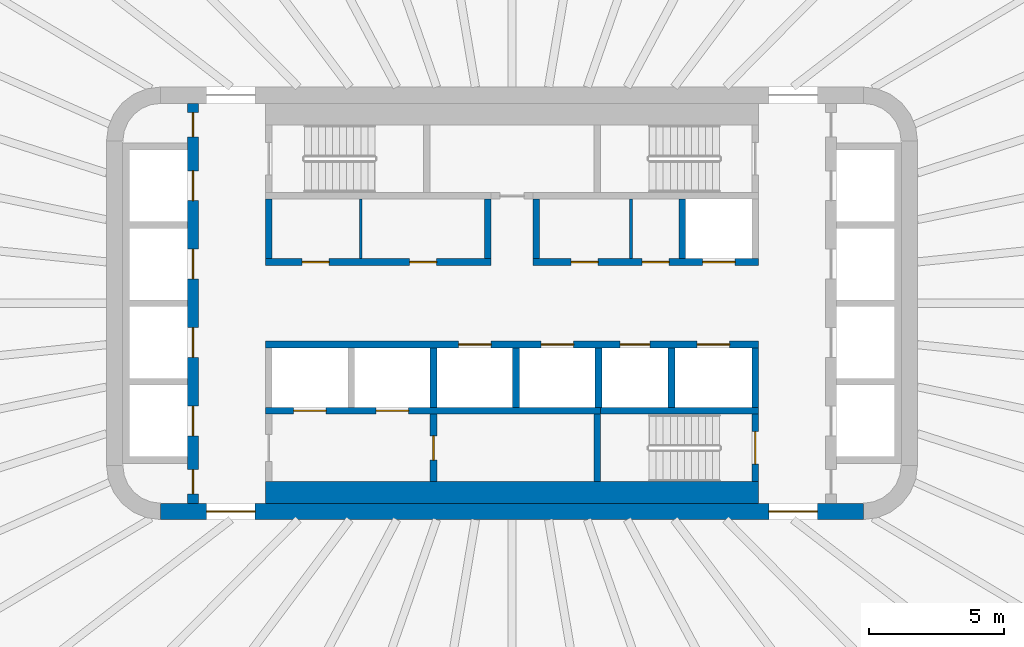
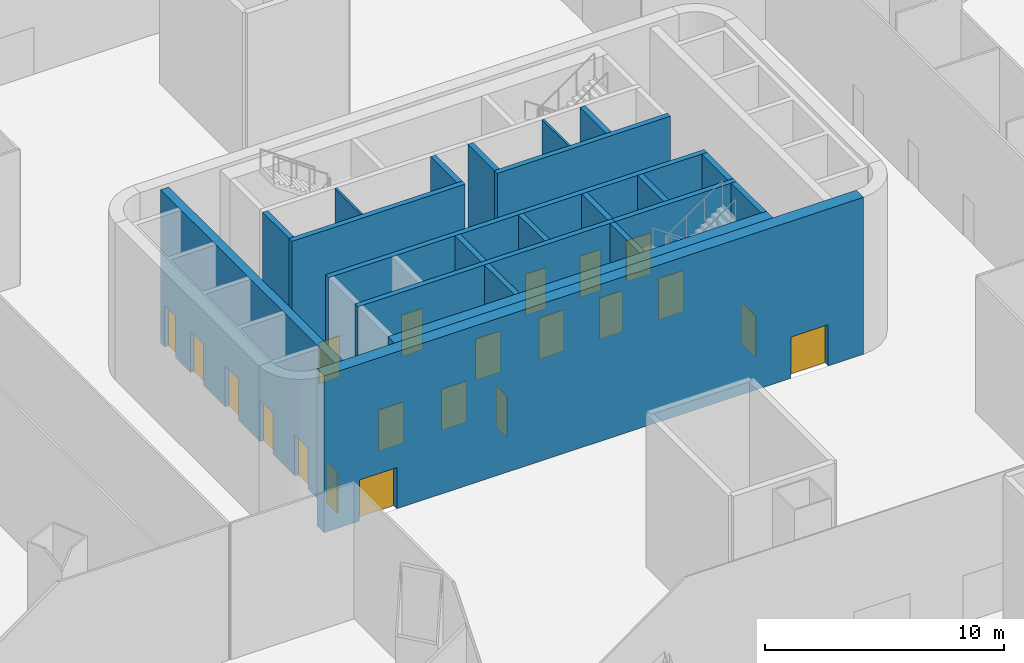
# One storey, part 17 of 36: 22 walls, 21 doors, 21 openings.
"""IFC4 building model written with IfcOpenShell, lengths in metres."""

from ifc_helpers import new_model, si_unit, direction, frame, frame_2d, origin, place, context, subcontext, project, spatial, rectangle, extrude, material, layer, layer_set, type_object, element, fill, save


model = new_model("IFC4")

# Units and contexts
model_context = context("Model", 3, precision=1e-05, world=origin(), true_north=direction((0.0, 1.0)))
body_context = subcontext(model_context, "Body", "Model", "MODEL_VIEW")
ifc_project = project(units=[si_unit("LENGTHUNIT", "METRE"), si_unit("AREAUNIT", "SQUARE_METRE"), si_unit("VOLUMEUNIT", "CUBIC_METRE"), si_unit("PLANEANGLEUNIT", "RADIAN"), si_unit("MASSUNIT", "GRAM", prefix="KILO")], contexts=[model_context])

# Site, building, storey
site_placement = place(None, origin())
site = spatial("IfcSite", under=ifc_project, at=site_placement, CompositionType="ELEMENT")
building_placement = place(site_placement, origin())
building = spatial("IfcBuilding", under=site, at=building_placement, Name="Sahrelin Media Tower", CompositionType="ELEMENT")
storey_placement = place(building_placement, origin())
storey = spatial("IfcBuildingStorey", under=building, at=storey_placement, Name="L00", CompositionType="ELEMENT", Elevation=0.0)

# Wall, openings, doors
ifc_material_1 = material(Name="Concrete C60/75", Category="concrete")
ifc_layer_1 = layer(ifc_material_1, 0.60009765625)
ifc_layer_set_1 = layer_set([ifc_layer_1], Name="Core wall 600")
wall_type_1 = type_object("IfcWallType", Name="Core wall 600", PredefinedType="SHEAR", material=ifc_layer_set_1)
wall_1_placement = place(storey_placement, frame((-13.0, -7.699951171875, 0.0), z_axis=(0.0, 0.0, 1.0), x_axis=(1.0, 0.0, 0.0)))
wall_1 = element("IfcWall", 1, at=wall_1_placement, inside=storey, type_object=wall_type_1, Name="Core wall S L00", PredefinedType="SHEAR", context=body_context, shape_type="SweptSolid", body=[
    extrude(rectangle(XDim=26.0, YDim=0.60009765625, at=frame_2d((13.0, 0.0))), origin(), (0.0, 0.0, 1.0), 8.0),
])
opening_1_placement = place(wall_1_placement, frame((1.699951171875, 0.0, 0.0)))
opening_1 = element("IfcOpeningElement", 2, at=opening_1_placement, cuts=wall_1, Name="Opening L00-D17", PredefinedType="OPENING", context=body_context, shape_type="SweptSolid", body=[
    extrude(rectangle(XDim=1.800048828125, YDim=2.10009765625, at=frame_2d((0.89990234375, 1.050048828125))), frame((0.0, 0.300048828125, 0.0), z_axis=(0.0, -1.0, 0.0), x_axis=(1.0, 0.0, 0.0)), (0.0, 0.0, 1.0), 0.60009765625),
])
opening_2_placement = place(wall_1_placement, frame((22.5, 0.0, 0.0)))
opening_2 = element("IfcOpeningElement", 3, at=opening_2_placement, cuts=wall_1, Name="Opening L00-D18", PredefinedType="OPENING", context=body_context, shape_type="SweptSolid", body=[
    extrude(rectangle(XDim=1.800048828125, YDim=2.10009765625, at=frame_2d((0.89990234375, 1.050048828125))), frame((0.0, 0.300048828125, 0.0), z_axis=(0.0, -1.0, 0.0), x_axis=(1.0, 0.0, 0.0)), (0.0, 0.0, 1.0), 0.60009765625),
])
ifc_material_2 = material(Name="Steel fire door leaf", Category="steel")
door_type_1 = type_object("IfcDoorType", Name="Lobby double door 1800 x 2100 EI 60", OperationType="DOUBLE_DOOR_SINGLE_SWING", PredefinedType="DOOR", material=ifc_material_2)
door_1_placement = place(opening_1_placement, origin())
door_1 = element("IfcDoor", 4, at=door_1_placement, inside=storey, type_object=door_type_1, Name="Lobby door", OperationType="DOUBLE_DOOR_SINGLE_SWING", OverallHeight=2.10009765625, OverallWidth=1.800048828125, PredefinedType="DOOR", context=body_context, shape_type="SweptSolid", body=[
    extrude(rectangle(XDim=1.800048828125, YDim=2.10009765625, at=frame_2d((0.89990234375, 1.050048828125))), frame((0.0, 0.02490234375, 0.0), z_axis=(0.0, -1.0, 0.0), x_axis=(1.0, 0.0, 0.0)), (0.0, 0.0, 1.0), 0.050048828125),
])
fill(opening_1, door_1)
door_2_placement = place(opening_2_placement, origin())
door_2 = element("IfcDoor", 5, at=door_2_placement, inside=storey, type_object=door_type_1, Name="Lobby door", OperationType="DOUBLE_DOOR_SINGLE_SWING", OverallHeight=2.10009765625, OverallWidth=1.800048828125, PredefinedType="DOOR", context=body_context, shape_type="SweptSolid", body=[
    extrude(rectangle(XDim=1.800048828125, YDim=2.10009765625, at=frame_2d((0.89990234375, 1.050048828125))), frame((0.0, 0.02490234375, 0.0), z_axis=(0.0, -1.0, 0.0), x_axis=(1.0, 0.0, 0.0)), (0.0, 0.0, 1.0), 0.050048828125),
])
fill(opening_2, door_2)

ifc_material_3 = material(Name="Fire-rated gypsum board partition")
ifc_layer_2 = layer(ifc_material_3, 0.25)
ifc_layer_set_2 = layer_set([ifc_layer_2], Name="Fire-rated lobby wall 250")
wall_type_2 = type_object("IfcWallType", Name="Fire-rated lobby wall 250", PredefinedType="PARTITIONING", material=ifc_layer_set_2)
wall_2_placement = place(storey_placement, frame((-9.125, 1.52490234375, 0.0), z_axis=(0.0, 0.0, 1.0), x_axis=(1.0, 0.0, 0.0)))
wall_2 = element("IfcWall", 6, at=wall_2_placement, inside=storey, type_object=wall_type_2, Name="Core lobby wall", PredefinedType="PARTITIONING", context=body_context, shape_type="SweptSolid", body=[
    extrude(rectangle(XDim=8.35009765625, YDim=0.25, at=frame_2d((4.175048828125, 0.0))), origin(), (0.0, 0.0, 1.0), 7.800048828125),
])
opening_3_placement = place(wall_2_placement, frame((1.362548828125, 0.0, 0.0)))
opening_3 = element("IfcOpeningElement", 7, at=opening_3_placement, cuts=wall_2, Name="Opening L00-D07", PredefinedType="OPENING", context=body_context, shape_type="SweptSolid", body=[
    extrude(rectangle(XDim=1.0, YDim=2.10009765625, at=frame_2d((0.5, 1.050048828125))), frame((0.0, 0.125, 0.0), z_axis=(0.0, -1.0, 0.0), x_axis=(1.0, 0.0, 0.0)), (0.0, 0.0, 1.0), 0.25),
])
opening_4_placement = place(wall_2_placement, frame((5.33740234375, 0.0, 0.0)))
opening_4 = element("IfcOpeningElement", 8, at=opening_4_placement, cuts=wall_2, Name="Opening L00-D08", PredefinedType="OPENING", context=body_context, shape_type="SweptSolid", body=[
    extrude(rectangle(XDim=1.0, YDim=2.10009765625, at=frame_2d((0.5, 1.050048828125))), frame((0.0, 0.125, 0.0), z_axis=(0.0, -1.0, 0.0), x_axis=(1.0, 0.0, 0.0)), (0.0, 0.0, 1.0), 0.25),
])
door_type_2 = type_object("IfcDoorType", Name="Fire door 1000 x 2100 EI 60", OperationType="NOTDEFINED", PredefinedType="DOOR", material=ifc_material_2)
door_3_placement = place(opening_3_placement, origin())
door_3 = element("IfcDoor", 9, at=door_3_placement, inside=storey, type_object=door_type_2, Name="Core room door", OperationType="SINGLE_SWING_LEFT", OverallHeight=2.10009765625, OverallWidth=1.0, PredefinedType="DOOR", context=body_context, shape_type="SweptSolid", body=[
    extrude(rectangle(XDim=1.0, YDim=2.10009765625, at=frame_2d((0.5, 1.050048828125))), frame((0.0, 0.02490234375, 0.0), z_axis=(0.0, -1.0, 0.0), x_axis=(1.0, 0.0, 0.0)), (0.0, 0.0, 1.0), 0.050048828125),
])
fill(opening_3, door_3)
door_4_placement = place(opening_4_placement, origin())
door_4 = element("IfcDoor", 10, at=door_4_placement, inside=storey, type_object=door_type_2, Name="Core room door", OperationType="SINGLE_SWING_LEFT", OverallHeight=2.10009765625, OverallWidth=1.0, PredefinedType="DOOR", context=body_context, shape_type="SweptSolid", body=[
    extrude(rectangle(XDim=1.0, YDim=2.10009765625, at=frame_2d((0.5, 1.050048828125))), frame((0.0, 0.02490234375, 0.0), z_axis=(0.0, -1.0, 0.0), x_axis=(1.0, 0.0, 0.0)), (0.0, 0.0, 1.0), 0.050048828125),
])
fill(opening_4, door_4)

# Walls
for number, where, z_axis, x_axis, name in (
    (11, (-9.0, 1.64990234375, 0.0), (0.0, 0.0, 1.0), (0.0, 1.0, 0.0), "Core lobby wall"),
    (12, (-0.89990234375, 1.64990234375, 0.0), (0.0, 0.0, 1.0), (0.0, 1.0, 0.0), "Core lobby wall"),
    (13, (0.89990234375, 1.64990234375, 0.0), (0.0, 0.0, 1.0), (0.0, 1.0, 0.0), "Core lobby wall"),
):
    element("IfcWall", number, at=place(storey_placement, frame(where, z_axis=z_axis, x_axis=x_axis)), inside=storey, type_object=wall_type_2, Name=name, PredefinedType="PARTITIONING", context=body_context, shape_type="SweptSolid", body=[
        extrude(rectangle(XDim=2.2001953125, YDim=0.25, at=frame_2d((1.10009765625, 0.0))), origin(), (0.0, 0.0, 1.0), 7.800048828125),
    ])
ifc_layer_3 = layer(ifc_material_3, 0.10009765625)
ifc_layer_set_3 = layer_set([ifc_layer_3], Name="Fire-rated partition 100")
wall_type_3 = type_object("IfcWallType", Name="Fire-rated partition 100", PredefinedType="PARTITIONING", material=ifc_layer_set_3)
for number, where, z_axis, x_axis, name in (
    (14, (-5.60009765625, 1.64990234375, 0.0), (0.0, 0.0, 1.0), (0.0, 1.0, 0.0), "Core room partition"),
    (15, (4.39990234375, 1.64990234375, 0.0), (0.0, 0.0, 1.0), (0.0, 1.0, 0.0), "Core room partition"),
):
    element("IfcWall", number, at=place(storey_placement, frame(where, z_axis=z_axis, x_axis=x_axis)), inside=storey, type_object=wall_type_3, Name=name, PredefinedType="PARTITIONING", context=body_context, shape_type="SweptSolid", body=[
        extrude(rectangle(XDim=2.2001953125, YDim=0.10009765625, at=frame_2d((1.10009765625, 0.0))), origin(), (0.0, 0.0, 1.0), 7.800048828125),
    ])

# Wall, opening, door
ifc_layer_4 = layer(ifc_material_3, 0.25)
ifc_layer_set_4 = layer_set([ifc_layer_4], Name="Firefighting lobby wall 250")
wall_type_4 = type_object("IfcWallType", Name="Firefighting lobby wall 250", PredefinedType="PARTITIONING", material=ifc_layer_set_4)
wall_3_placement = place(storey_placement, frame((-2.89990234375, -6.60009765625, 0.0), z_axis=(0.0, 0.0, 1.0), x_axis=(0.0, 1.0, 0.0)))
wall_3 = element("IfcWall", 16, at=wall_3_placement, inside=storey, type_object=wall_type_4, Name="Core wall", PredefinedType="PARTITIONING", context=body_context, shape_type="SweptSolid", body=[
    extrude(rectangle(XDim=2.5, YDim=0.25, at=frame_2d((1.25, 0.0))), origin(), (0.0, 0.0, 1.0), 7.800048828125),
])
opening_5_placement = place(wall_3_placement, frame((0.800048828125, 0.0, 0.0)))
opening_5 = element("IfcOpeningElement", 17, at=opening_5_placement, cuts=wall_3, Name="Opening L00-D05", PredefinedType="OPENING", context=body_context, shape_type="SweptSolid", body=[
    extrude(rectangle(XDim=0.89990234375, YDim=2.10009765625, at=frame_2d((0.449951171875, 1.050048828125))), frame((0.0, 0.125, 0.0), z_axis=(0.0, -1.0, 0.0), x_axis=(1.0, 0.0, 0.0)), (0.0, 0.0, 1.0), 0.25),
])
door_type_3 = type_object("IfcDoorType", Name="Firefighting lobby door 900 x 2100 EI 120", OperationType="NOTDEFINED", PredefinedType="DOOR", material=ifc_material_2)
door_5_placement = place(opening_5_placement, origin())
door_5 = element("IfcDoor", 18, at=door_5_placement, inside=storey, type_object=door_type_3, Name="Riser door", OperationType="SINGLE_SWING_RIGHT", OverallHeight=2.10009765625, OverallWidth=0.89990234375, PredefinedType="DOOR", context=body_context, shape_type="SweptSolid", body=[
    extrude(rectangle(XDim=0.89990234375, YDim=2.10009765625, at=frame_2d((0.449951171875, 1.050048828125))), frame((0.0, 0.02490234375, 0.0), z_axis=(0.0, -1.0, 0.0), x_axis=(1.0, 0.0, 0.0)), (0.0, 0.0, 1.0), 0.050048828125),
])
fill(opening_5, door_5)

# Wall, openings, doors
ifc_layer_5 = layer(ifc_material_1, 0.25)
ifc_layer_set_5 = layer_set([ifc_layer_5], Name="Lift shaft wall 250")
wall_type_5 = type_object("IfcWallType", Name="Lift shaft wall 250", PredefinedType="SOLIDWALL", material=ifc_layer_set_5)
wall_4_placement = place(storey_placement, frame((0.77490234375, 1.52490234375, 0.0), z_axis=(0.0, 0.0, 1.0), x_axis=(1.0, 0.0, 0.0)))
wall_4 = element("IfcWall", 19, at=wall_4_placement, inside=storey, type_object=wall_type_5, Name="Lift shaft wall", PredefinedType="SOLIDWALL", context=body_context, shape_type="SweptSolid", body=[
    extrude(rectangle(XDim=8.35009765625, YDim=0.25, at=frame_2d((4.175048828125, 0.0))), origin(), (0.0, 0.0, 1.0), 7.800048828125),
])
opening_6_placement = place(wall_4_placement, frame((6.27490234375, 0.0, 0.0)))
opening_6 = element("IfcOpeningElement", 20, at=opening_6_placement, cuts=wall_4, Name="Opening L00-LD-PR2", PredefinedType="OPENING", context=body_context, shape_type="SweptSolid", body=[
    extrude(rectangle(XDim=1.199951171875, YDim=2.10009765625, at=frame_2d((0.60009765625, 1.050048828125))), frame((0.0, 0.125, 0.0), z_axis=(0.0, -1.0, 0.0), x_axis=(1.0, 0.0, 0.0)), (0.0, 0.0, 1.0), 0.25),
])
opening_7_placement = place(wall_4_placement, frame((1.41259765625, 0.0, 0.0)))
opening_7 = element("IfcOpeningElement", 21, at=opening_7_placement, cuts=wall_4, Name="Opening L00-D09", PredefinedType="OPENING", context=body_context, shape_type="SweptSolid", body=[
    extrude(rectangle(XDim=1.0, YDim=2.10009765625, at=frame_2d((0.5, 1.050048828125))), frame((0.0, 0.125, 0.0), z_axis=(0.0, -1.0, 0.0), x_axis=(1.0, 0.0, 0.0)), (0.0, 0.0, 1.0), 0.25),
])
opening_8_placement = place(wall_4_placement, frame((4.03759765625, 0.0, 0.0)))
opening_8 = element("IfcOpeningElement", 22, at=opening_8_placement, cuts=wall_4, Name="Opening L00-D10", PredefinedType="OPENING", context=body_context, shape_type="SweptSolid", body=[
    extrude(rectangle(XDim=1.0, YDim=2.10009765625, at=frame_2d((0.5, 1.050048828125))), frame((0.0, 0.125, 0.0), z_axis=(0.0, -1.0, 0.0), x_axis=(1.0, 0.0, 0.0)), (0.0, 0.0, 1.0), 0.25),
])
door_6_placement = place(opening_7_placement, origin())
door_6 = element("IfcDoor", 23, at=door_6_placement, inside=storey, type_object=door_type_2, Name="Core room door", OperationType="SINGLE_SWING_LEFT", OverallHeight=2.10009765625, OverallWidth=1.0, PredefinedType="DOOR", context=body_context, shape_type="SweptSolid", body=[
    extrude(rectangle(XDim=1.0, YDim=2.10009765625, at=frame_2d((0.5, 1.050048828125))), frame((0.0, 0.02490234375, 0.0), z_axis=(0.0, -1.0, 0.0), x_axis=(1.0, 0.0, 0.0)), (0.0, 0.0, 1.0), 0.050048828125),
])
fill(opening_7, door_6)
door_7_placement = place(opening_8_placement, origin())
door_7 = element("IfcDoor", 24, at=door_7_placement, inside=storey, type_object=door_type_2, Name="Core room door", OperationType="SINGLE_SWING_LEFT", OverallHeight=2.10009765625, OverallWidth=1.0, PredefinedType="DOOR", context=body_context, shape_type="SweptSolid", body=[
    extrude(rectangle(XDim=1.0, YDim=2.10009765625, at=frame_2d((0.5, 1.050048828125))), frame((0.0, 0.02490234375, 0.0), z_axis=(0.0, -1.0, 0.0), x_axis=(1.0, 0.0, 0.0)), (0.0, 0.0, 1.0), 0.050048828125),
])
fill(opening_8, door_7)
ifc_material_4 = material(Name="Stainless steel", Category="steel")
door_type_4 = type_object("IfcDoorType", Name="Lift landing door 1200 x 2100 EI 120", OperationType="DOUBLE_DOOR_SLIDING", PredefinedType="DOOR", material=ifc_material_4)
door_8_placement = place(opening_6_placement, origin())
door_8 = element("IfcDoor", 25, at=door_8_placement, inside=storey, type_object=door_type_4, Name="Lift landing door PR2", OperationType="DOUBLE_DOOR_SLIDING", OverallHeight=2.10009765625, OverallWidth=1.199951171875, PredefinedType="DOOR", context=body_context, shape_type="SweptSolid", body=[
    extrude(rectangle(XDim=1.199951171875, YDim=2.10009765625, at=frame_2d((0.60009765625, 1.050048828125))), frame((0.0, 0.02490234375, 0.0), z_axis=(0.0, -1.0, 0.0), x_axis=(1.0, 0.0, 0.0)), (0.0, 0.0, 1.0), 0.050048828125),
])
fill(opening_6, door_8)

# Wall
wall_5_placement = place(storey_placement, frame((6.300048828125, 1.64990234375, 0.0), z_axis=(0.0, 0.0, 1.0), x_axis=(0.0, 1.0, 0.0)))
element("IfcWall", 26, at=wall_5_placement, inside=storey, type_object=wall_type_5, Name="Lift shaft wall", PredefinedType="SOLIDWALL", context=body_context, shape_type="SweptSolid", body=[
    extrude(rectangle(XDim=2.2001953125, YDim=0.25, at=frame_2d((1.10009765625, 0.0))), origin(), (0.0, 0.0, 1.0), 7.800048828125),
])

# Wall, openings, doors
wall_6_placement = place(storey_placement, frame((-9.125, -1.52490234375, 0.0), z_axis=(0.0, 0.0, 1.0), x_axis=(1.0, 0.0, 0.0)))
wall_6 = element("IfcWall", 27, at=wall_6_placement, inside=storey, type_object=wall_type_5, Name="Lift shaft wall", PredefinedType="SOLIDWALL", context=body_context, shape_type="SweptSolid", body=[
    extrude(rectangle(XDim=18.25, YDim=0.25, at=frame_2d((9.125, 0.0))), origin(), (0.0, 0.0, 1.0), 7.800048828125),
])
opening_9_placement = place(wall_6_placement, frame((7.14990234375, 0.0, 0.0)))
opening_9 = element("IfcOpeningElement", 28, at=opening_9_placement, cuts=wall_6, Name="Opening L00-LD-SV1", PredefinedType="OPENING", context=body_context, shape_type="SweptSolid", body=[
    extrude(rectangle(XDim=1.199951171875, YDim=2.10009765625, at=frame_2d((0.60009765625, 1.050048828125))), frame((0.0, 0.125, 0.0), z_axis=(0.0, -1.0, 0.0), x_axis=(1.0, 0.0, 0.0)), (0.0, 0.0, 1.0), 0.25),
])
opening_10_placement = place(wall_6_placement, frame((10.199951171875, 0.0, 0.0)))
opening_10 = element("IfcOpeningElement", 29, at=opening_10_placement, cuts=wall_6, Name="Opening L00-LD-SV2", PredefinedType="OPENING", context=body_context, shape_type="SweptSolid", body=[
    extrude(rectangle(XDim=1.199951171875, YDim=2.10009765625, at=frame_2d((0.60009765625, 1.050048828125))), frame((0.0, 0.125, 0.0), z_axis=(0.0, -1.0, 0.0), x_axis=(1.0, 0.0, 0.0)), (0.0, 0.0, 1.0), 0.25),
])
opening_11_placement = place(wall_6_placement, frame((13.125, 0.0, 0.0)))
opening_11 = element("IfcOpeningElement", 30, at=opening_11_placement, cuts=wall_6, Name="Opening L00-LD-OB1", PredefinedType="OPENING", context=body_context, shape_type="SweptSolid", body=[
    extrude(rectangle(XDim=1.10009765625, YDim=2.10009765625, at=frame_2d((0.550048828125, 1.050048828125))), frame((0.0, 0.125, 0.0), z_axis=(0.0, -1.0, 0.0), x_axis=(1.0, 0.0, 0.0)), (0.0, 0.0, 1.0), 0.25),
])
opening_12_placement = place(wall_6_placement, frame((15.97509765625, 0.0, 0.0)))
opening_12 = element("IfcOpeningElement", 31, at=opening_12_placement, cuts=wall_6, Name="Opening L00-LD-PR1", PredefinedType="OPENING", context=body_context, shape_type="SweptSolid", body=[
    extrude(rectangle(XDim=1.199951171875, YDim=2.10009765625, at=frame_2d((0.60009765625, 1.050048828125))), frame((0.0, 0.125, 0.0), z_axis=(0.0, -1.0, 0.0), x_axis=(1.0, 0.0, 0.0)), (0.0, 0.0, 1.0), 0.25),
])
door_type_5 = type_object("IfcDoorType", Name="Lift landing door 1100 x 2100 EI 120", OperationType="DOUBLE_DOOR_SLIDING", PredefinedType="DOOR", material=ifc_material_4)
door_9_placement = place(opening_11_placement, origin())
door_9 = element("IfcDoor", 32, at=door_9_placement, inside=storey, type_object=door_type_5, Name="Lift landing door OB1", OperationType="DOUBLE_DOOR_SLIDING", OverallHeight=2.10009765625, OverallWidth=1.10009765625, PredefinedType="DOOR", context=body_context, shape_type="SweptSolid", body=[
    extrude(rectangle(XDim=1.10009765625, YDim=2.10009765625, at=frame_2d((0.550048828125, 1.050048828125))), frame((0.0, 0.02490234375, 0.0), z_axis=(0.0, -1.0, 0.0), x_axis=(1.0, 0.0, 0.0)), (0.0, 0.0, 1.0), 0.050048828125),
])
fill(opening_11, door_9)
door_10_placement = place(opening_9_placement, origin())
door_10 = element("IfcDoor", 33, at=door_10_placement, inside=storey, type_object=door_type_4, Name="Lift landing door SV1", OperationType="DOUBLE_DOOR_SLIDING", OverallHeight=2.10009765625, OverallWidth=1.199951171875, PredefinedType="DOOR", context=body_context, shape_type="SweptSolid", body=[
    extrude(rectangle(XDim=1.199951171875, YDim=2.10009765625, at=frame_2d((0.60009765625, 1.050048828125))), frame((0.0, 0.02490234375, 0.0), z_axis=(0.0, -1.0, 0.0), x_axis=(1.0, 0.0, 0.0)), (0.0, 0.0, 1.0), 0.050048828125),
])
fill(opening_9, door_10)
door_11_placement = place(opening_10_placement, origin())
door_11 = element("IfcDoor", 34, at=door_11_placement, inside=storey, type_object=door_type_4, Name="Lift landing door SV2", OperationType="DOUBLE_DOOR_SLIDING", OverallHeight=2.10009765625, OverallWidth=1.199951171875, PredefinedType="DOOR", context=body_context, shape_type="SweptSolid", body=[
    extrude(rectangle(XDim=1.199951171875, YDim=2.10009765625, at=frame_2d((0.60009765625, 1.050048828125))), frame((0.0, 0.02490234375, 0.0), z_axis=(0.0, -1.0, 0.0), x_axis=(1.0, 0.0, 0.0)), (0.0, 0.0, 1.0), 0.050048828125),
])
fill(opening_10, door_11)
door_12_placement = place(opening_12_placement, origin())
door_12 = element("IfcDoor", 35, at=door_12_placement, inside=storey, type_object=door_type_4, Name="Lift landing door PR1", OperationType="DOUBLE_DOOR_SLIDING", OverallHeight=2.10009765625, OverallWidth=1.199951171875, PredefinedType="DOOR", context=body_context, shape_type="SweptSolid", body=[
    extrude(rectangle(XDim=1.199951171875, YDim=2.10009765625, at=frame_2d((0.60009765625, 1.050048828125))), frame((0.0, 0.02490234375, 0.0), z_axis=(0.0, -1.0, 0.0), x_axis=(1.0, 0.0, 0.0)), (0.0, 0.0, 1.0), 0.050048828125),
])
fill(opening_12, door_12)

wall_7_placement = place(storey_placement, frame((-9.125, -3.97509765625, 0.0), z_axis=(0.0, 0.0, 1.0), x_axis=(1.0, 0.0, 0.0)))
wall_7 = element("IfcWall", 36, at=wall_7_placement, inside=storey, type_object=wall_type_5, Name="Lift shaft wall", PredefinedType="SOLIDWALL", context=body_context, shape_type="SweptSolid", body=[
    extrude(rectangle(XDim=12.39990234375, YDim=0.25, at=frame_2d((6.199951171875, 0.0))), origin(), (0.0, 0.0, 1.0), 7.800048828125),
])
opening_13_placement = place(wall_7_placement, frame((1.050048828125, 0.0, 0.0)))
opening_13 = element("IfcOpeningElement", 37, at=opening_13_placement, cuts=wall_7, Name="Opening L00-LD-FF1", PredefinedType="OPENING", context=body_context, shape_type="SweptSolid", body=[
    extrude(rectangle(XDim=1.199951171875, YDim=2.10009765625, at=frame_2d((0.60009765625, 1.050048828125))), frame((0.0, 0.125, 0.0), z_axis=(0.0, -1.0, 0.0), x_axis=(1.0, 0.0, 0.0)), (0.0, 0.0, 1.0), 0.25),
])
opening_14_placement = place(wall_7_placement, frame((4.10009765625, 0.0, 0.0)))
opening_14 = element("IfcOpeningElement", 38, at=opening_14_placement, cuts=wall_7, Name="Opening L00-LD-FF2", PredefinedType="OPENING", context=body_context, shape_type="SweptSolid", body=[
    extrude(rectangle(XDim=1.199951171875, YDim=2.10009765625, at=frame_2d((0.60009765625, 1.050048828125))), frame((0.0, 0.125, 0.0), z_axis=(0.0, -1.0, 0.0), x_axis=(1.0, 0.0, 0.0)), (0.0, 0.0, 1.0), 0.25),
])
door_13_placement = place(opening_13_placement, origin())
door_13 = element("IfcDoor", 39, at=door_13_placement, inside=storey, type_object=door_type_4, Name="Lift landing door FF1", OperationType="DOUBLE_DOOR_SLIDING", OverallHeight=2.10009765625, OverallWidth=1.199951171875, PredefinedType="DOOR", context=body_context, shape_type="SweptSolid", body=[
    extrude(rectangle(XDim=1.199951171875, YDim=2.10009765625, at=frame_2d((0.60009765625, 1.050048828125))), frame((0.0, 0.02490234375, 0.0), z_axis=(0.0, -1.0, 0.0), x_axis=(1.0, 0.0, 0.0)), (0.0, 0.0, 1.0), 0.050048828125),
])
fill(opening_13, door_13)
door_14_placement = place(opening_14_placement, origin())
door_14 = element("IfcDoor", 40, at=door_14_placement, inside=storey, type_object=door_type_4, Name="Lift landing door FF2", OperationType="DOUBLE_DOOR_SLIDING", OverallHeight=2.10009765625, OverallWidth=1.199951171875, PredefinedType="DOOR", context=body_context, shape_type="SweptSolid", body=[
    extrude(rectangle(XDim=1.199951171875, YDim=2.10009765625, at=frame_2d((0.60009765625, 1.050048828125))), frame((0.0, 0.02490234375, 0.0), z_axis=(0.0, -1.0, 0.0), x_axis=(1.0, 0.0, 0.0)), (0.0, 0.0, 1.0), 0.050048828125),
])
fill(opening_14, door_14)

# Walls
wall_8_placement = place(storey_placement, frame((3.27490234375, -3.97509765625, 0.0), z_axis=(0.0, 0.0, 1.0), x_axis=(1.0, 0.0, 0.0)))
element("IfcWall", 41, at=wall_8_placement, inside=storey, type_object=wall_type_5, Name="Lift shaft wall", PredefinedType="SOLIDWALL", context=body_context, shape_type="SweptSolid", body=[
    extrude(rectangle(XDim=5.85009765625, YDim=0.25, at=frame_2d((2.925048828125, 0.0))), origin(), (0.0, 0.0, 1.0), 7.800048828125),
])
for number, where, z_axis, x_axis, name in (
    (42, (-2.89990234375, -3.85009765625, 0.0), (0.0, 0.0, 1.0), (0.0, 1.0, 0.0), "Lift shaft wall"),
    (43, (0.14990234375, -3.85009765625, 0.0), (0.0, 0.0, 1.0), (0.0, 1.0, 0.0), "Lift shaft wall"),
    (44, (3.199951171875, -3.85009765625, 0.0), (0.0, 0.0, 1.0), (0.0, 1.0, 0.0), "Lift shaft wall"),
    (45, (5.89990234375, -3.85009765625, 0.0), (0.0, 0.0, 1.0), (0.0, 1.0, 0.0), "Lift shaft wall"),
    (46, (9.0, -3.85009765625, 0.0), (0.0, 0.0, 1.0), (0.0, 1.0, 0.0), "Lift shaft wall"),
):
    element("IfcWall", number, at=place(storey_placement, frame(where, z_axis=z_axis, x_axis=x_axis)), inside=storey, type_object=wall_type_5, Name=name, PredefinedType="SOLIDWALL", context=body_context, shape_type="SweptSolid", body=[
        extrude(rectangle(XDim=2.2001953125, YDim=0.25, at=frame_2d((1.10009765625, 0.0))), origin(), (0.0, 0.0, 1.0), 7.800048828125),
    ])

# Wall, openings, doors
ifc_layer_6 = layer(ifc_material_1, 0.39990234375)
ifc_layer_set_6 = layer_set([ifc_layer_6], Name="Lift shaft wall 400")
wall_type_6 = type_object("IfcWallType", Name="Lift shaft wall 400", PredefinedType="SOLIDWALL", material=ifc_layer_set_6)
wall_9_placement = place(storey_placement, frame((-11.800048828125, -7.39990234375, 0.0), z_axis=(0.0, 0.0, 1.0), x_axis=(0.0, 1.0, 0.0)))
wall_9 = element("IfcWall", 47, at=wall_9_placement, inside=storey, type_object=wall_type_6, Name="Lift shaft wall", PredefinedType="SOLIDWALL", context=body_context, shape_type="SweptSolid", body=[
    extrude(rectangle(XDim=14.7998046875, YDim=0.39990234375, at=frame_2d((7.39990234375, 0.0))), origin(), (0.0, 0.0, 1.0), 7.800048828125),
])
opening_15_placement = place(wall_9_placement, frame((11.199951171875, 0.0, 0.0)))
opening_15 = element("IfcOpeningElement", 48, at=opening_15_placement, cuts=wall_9, Name="Opening L00-LD-LR1", PredefinedType="OPENING", context=body_context, shape_type="SweptSolid", body=[
    extrude(rectangle(XDim=1.10009765625, YDim=2.10009765625, at=frame_2d((0.550048828125, 1.050048828125))), frame((0.0, 0.199951171875, 0.0), z_axis=(0.0, -1.0, 0.0), x_axis=(1.0, 0.0, 0.0)), (0.0, 0.0, 1.0), 0.39990234375),
])
opening_16_placement = place(wall_9_placement, frame((8.300048828125, 0.0, 0.0)))
opening_16 = element("IfcOpeningElement", 49, at=opening_16_placement, cuts=wall_9, Name="Opening L00-LD-LR2", PredefinedType="OPENING", context=body_context, shape_type="SweptSolid", body=[
    extrude(rectangle(XDim=1.10009765625, YDim=2.10009765625, at=frame_2d((0.550048828125, 1.050048828125))), frame((0.0, 0.199951171875, 0.0), z_axis=(0.0, -1.0, 0.0), x_axis=(1.0, 0.0, 0.0)), (0.0, 0.0, 1.0), 0.39990234375),
])
opening_17_placement = place(wall_9_placement, frame((5.39990234375, 0.0, 0.0)))
opening_17 = element("IfcOpeningElement", 50, at=opening_17_placement, cuts=wall_9, Name="Opening L00-LD-LR3", PredefinedType="OPENING", context=body_context, shape_type="SweptSolid", body=[
    extrude(rectangle(XDim=1.10009765625, YDim=2.10009765625, at=frame_2d((0.550048828125, 1.050048828125))), frame((0.0, 0.199951171875, 0.0), z_axis=(0.0, -1.0, 0.0), x_axis=(1.0, 0.0, 0.0)), (0.0, 0.0, 1.0), 0.39990234375),
])
opening_18_placement = place(wall_9_placement, frame((2.5, 0.0, 0.0)))
opening_18 = element("IfcOpeningElement", 51, at=opening_18_placement, cuts=wall_9, Name="Opening L00-LD-SH1", PredefinedType="OPENING", context=body_context, shape_type="SweptSolid", body=[
    extrude(rectangle(XDim=1.10009765625, YDim=2.10009765625, at=frame_2d((0.550048828125, 1.050048828125))), frame((0.0, 0.199951171875, 0.0), z_axis=(0.0, -1.0, 0.0), x_axis=(1.0, 0.0, 0.0)), (0.0, 0.0, 1.0), 0.39990234375),
])
opening_19_placement = place(wall_9_placement, frame((13.552490234375, 0.0, 0.0)))
opening_19 = element("IfcOpeningElement", 52, at=opening_19_placement, cuts=wall_9, Name="Opening L00-D11", PredefinedType="OPENING", context=body_context, shape_type="SweptSolid", body=[
    extrude(rectangle(XDim=0.89990234375, YDim=2.10009765625, at=frame_2d((0.449951171875, 1.050048828125))), frame((0.0, 0.199951171875, 0.0), z_axis=(0.0, -1.0, 0.0), x_axis=(1.0, 0.0, 0.0)), (0.0, 0.0, 1.0), 0.39990234375),
])
opening_20_placement = place(wall_9_placement, frame((0.347412109375, 0.0, 0.0)))
opening_20 = element("IfcOpeningElement", 53, at=opening_20_placement, cuts=wall_9, Name="Opening L00-D12", PredefinedType="OPENING", context=body_context, shape_type="SweptSolid", body=[
    extrude(rectangle(XDim=0.89990234375, YDim=2.10009765625, at=frame_2d((0.449951171875, 1.050048828125))), frame((0.0, 0.199951171875, 0.0), z_axis=(0.0, -1.0, 0.0), x_axis=(1.0, 0.0, 0.0)), (0.0, 0.0, 1.0), 0.39990234375),
])
door_15_placement = place(opening_15_placement, origin())
door_15 = element("IfcDoor", 54, at=door_15_placement, inside=storey, type_object=door_type_5, Name="Lift landing door LR1", OperationType="DOUBLE_DOOR_SLIDING", OverallHeight=2.10009765625, OverallWidth=1.10009765625, PredefinedType="DOOR", context=body_context, shape_type="SweptSolid", body=[
    extrude(rectangle(XDim=1.10009765625, YDim=2.10009765625, at=frame_2d((0.550048828125, 1.050048828125))), frame((0.0, 0.02490234375, 0.0), z_axis=(0.0, -1.0, 0.0), x_axis=(1.0, 0.0, 0.0)), (0.0, 0.0, 1.0), 0.050048828125),
])
fill(opening_15, door_15)
door_16_placement = place(opening_16_placement, origin())
door_16 = element("IfcDoor", 55, at=door_16_placement, inside=storey, type_object=door_type_5, Name="Lift landing door LR2", OperationType="DOUBLE_DOOR_SLIDING", OverallHeight=2.10009765625, OverallWidth=1.10009765625, PredefinedType="DOOR", context=body_context, shape_type="SweptSolid", body=[
    extrude(rectangle(XDim=1.10009765625, YDim=2.10009765625, at=frame_2d((0.550048828125, 1.050048828125))), frame((0.0, 0.02490234375, 0.0), z_axis=(0.0, -1.0, 0.0), x_axis=(1.0, 0.0, 0.0)), (0.0, 0.0, 1.0), 0.050048828125),
])
fill(opening_16, door_16)
door_17_placement = place(opening_17_placement, origin())
door_17 = element("IfcDoor", 56, at=door_17_placement, inside=storey, type_object=door_type_5, Name="Lift landing door LR3", OperationType="DOUBLE_DOOR_SLIDING", OverallHeight=2.10009765625, OverallWidth=1.10009765625, PredefinedType="DOOR", context=body_context, shape_type="SweptSolid", body=[
    extrude(rectangle(XDim=1.10009765625, YDim=2.10009765625, at=frame_2d((0.550048828125, 1.050048828125))), frame((0.0, 0.02490234375, 0.0), z_axis=(0.0, -1.0, 0.0), x_axis=(1.0, 0.0, 0.0)), (0.0, 0.0, 1.0), 0.050048828125),
])
fill(opening_17, door_17)
door_18_placement = place(opening_18_placement, origin())
door_18 = element("IfcDoor", 57, at=door_18_placement, inside=storey, type_object=door_type_5, Name="Lift landing door SH1", OperationType="DOUBLE_DOOR_SLIDING", OverallHeight=2.10009765625, OverallWidth=1.10009765625, PredefinedType="DOOR", context=body_context, shape_type="SweptSolid", body=[
    extrude(rectangle(XDim=1.10009765625, YDim=2.10009765625, at=frame_2d((0.550048828125, 1.050048828125))), frame((0.0, 0.02490234375, 0.0), z_axis=(0.0, -1.0, 0.0), x_axis=(1.0, 0.0, 0.0)), (0.0, 0.0, 1.0), 0.050048828125),
])
fill(opening_18, door_18)
door_type_6 = type_object("IfcDoorType", Name="Riser door 900 x 2100 EI 120", OperationType="NOTDEFINED", PredefinedType="DOOR", material=ifc_material_2)
door_19_placement = place(opening_19_placement, origin())
door_19 = element("IfcDoor", 58, at=door_19_placement, inside=storey, type_object=door_type_6, Name="Riser door", OperationType="SINGLE_SWING_LEFT", OverallHeight=2.10009765625, OverallWidth=0.89990234375, PredefinedType="DOOR", context=body_context, shape_type="SweptSolid", body=[
    extrude(rectangle(XDim=0.89990234375, YDim=2.10009765625, at=frame_2d((0.449951171875, 1.050048828125))), frame((0.0, 0.02490234375, 0.0), z_axis=(0.0, -1.0, 0.0), x_axis=(1.0, 0.0, 0.0)), (0.0, 0.0, 1.0), 0.050048828125),
])
fill(opening_19, door_19)
door_20_placement = place(opening_20_placement, origin())
door_20 = element("IfcDoor", 59, at=door_20_placement, inside=storey, type_object=door_type_6, Name="Riser door", OperationType="SINGLE_SWING_LEFT", OverallHeight=2.10009765625, OverallWidth=0.89990234375, PredefinedType="DOOR", context=body_context, shape_type="SweptSolid", body=[
    extrude(rectangle(XDim=0.89990234375, YDim=2.10009765625, at=frame_2d((0.449951171875, 1.050048828125))), frame((0.0, 0.02490234375, 0.0), z_axis=(0.0, -1.0, 0.0), x_axis=(1.0, 0.0, 0.0)), (0.0, 0.0, 1.0), 0.050048828125),
])
fill(opening_20, door_20)

# Wall, opening, door
ifc_layer_7 = layer(ifc_material_1, 0.25)
ifc_layer_set_7 = layer_set([ifc_layer_7], Name="Stair enclosure wall 250")
wall_type_7 = type_object("IfcWallType", Name="Stair enclosure wall 250", PredefinedType="SOLIDWALL", material=ifc_layer_set_7)
wall_10_placement = place(storey_placement, frame((9.0, -6.60009765625, 0.0), z_axis=(0.0, 0.0, 1.0), x_axis=(0.0, 1.0, 0.0)))
wall_10 = element("IfcWall", 60, at=wall_10_placement, inside=storey, type_object=wall_type_7, Name="Stair enclosure wall", PredefinedType="SOLIDWALL", context=body_context, shape_type="SweptSolid", body=[
    extrude(rectangle(XDim=2.5, YDim=0.25, at=frame_2d((1.25, 0.0))), origin(), (0.0, 0.0, 1.0), 7.800048828125),
])
opening_21_placement = place(wall_10_placement, frame((0.64990234375, 0.0, 0.0)))
opening_21 = element("IfcOpeningElement", 61, at=opening_21_placement, cuts=wall_10, Name="Opening L00-D03", PredefinedType="OPENING", context=body_context, shape_type="SweptSolid", body=[
    extrude(rectangle(XDim=1.199951171875, YDim=2.10009765625, at=frame_2d((0.60009765625, 1.050048828125))), frame((0.0, 0.125, 0.0), z_axis=(0.0, -1.0, 0.0), x_axis=(1.0, 0.0, 0.0)), (0.0, 0.0, 1.0), 0.25),
])
door_type_7 = type_object("IfcDoorType", Name="Stair door 1200 x 2100 EI 120", OperationType="NOTDEFINED", PredefinedType="DOOR", material=ifc_material_2)
door_21_placement = place(opening_21_placement, origin())
door_21 = element("IfcDoor", 62, at=door_21_placement, inside=storey, type_object=door_type_7, Name="Stair door ST2", OperationType="SINGLE_SWING_LEFT", OverallHeight=2.10009765625, OverallWidth=1.199951171875, PredefinedType="DOOR", context=body_context, shape_type="SweptSolid", body=[
    extrude(rectangle(XDim=1.199951171875, YDim=2.10009765625, at=frame_2d((0.60009765625, 1.050048828125))), frame((0.0, 0.02490234375, 0.0), z_axis=(0.0, -1.0, 0.0), x_axis=(1.0, 0.0, 0.0)), (0.0, 0.0, 1.0), 0.050048828125),
])
fill(opening_21, door_21)

# Walls
wall_11_placement = place(storey_placement, frame((3.14990234375, -6.60009765625, 0.0), z_axis=(0.0, 0.0, 1.0), x_axis=(0.0, 1.0, 0.0)))
element("IfcWall", 63, at=wall_11_placement, inside=storey, type_object=wall_type_7, Name="Stair enclosure wall", PredefinedType="SOLIDWALL", context=body_context, shape_type="SweptSolid", body=[
    extrude(rectangle(XDim=2.5, YDim=0.25, at=frame_2d((1.25, 0.0))), origin(), (0.0, 0.0, 1.0), 7.800048828125),
])
ifc_layer_8 = layer(ifc_material_1, 0.800048828125)
ifc_layer_set_8 = layer_set([ifc_layer_8], Name="Stair enclosure wall 800")
wall_type_8 = type_object("IfcWallType", Name="Stair enclosure wall 800", PredefinedType="SOLIDWALL", material=ifc_layer_set_8)
wall_12_placement = place(storey_placement, frame((-9.125, -7.0, 0.0), z_axis=(0.0, 0.0, 1.0), x_axis=(1.0, 0.0, 0.0)))
element("IfcWall", 64, at=wall_12_placement, inside=storey, type_object=wall_type_8, Name="Stair enclosure wall", PredefinedType="SOLIDWALL", context=body_context, shape_type="SweptSolid", body=[
    extrude(rectangle(XDim=18.25, YDim=0.800048828125, at=frame_2d((9.125, 0.0))), origin(), (0.0, 0.0, 1.0), 7.800048828125),
])

save(model, "model.ifc")
